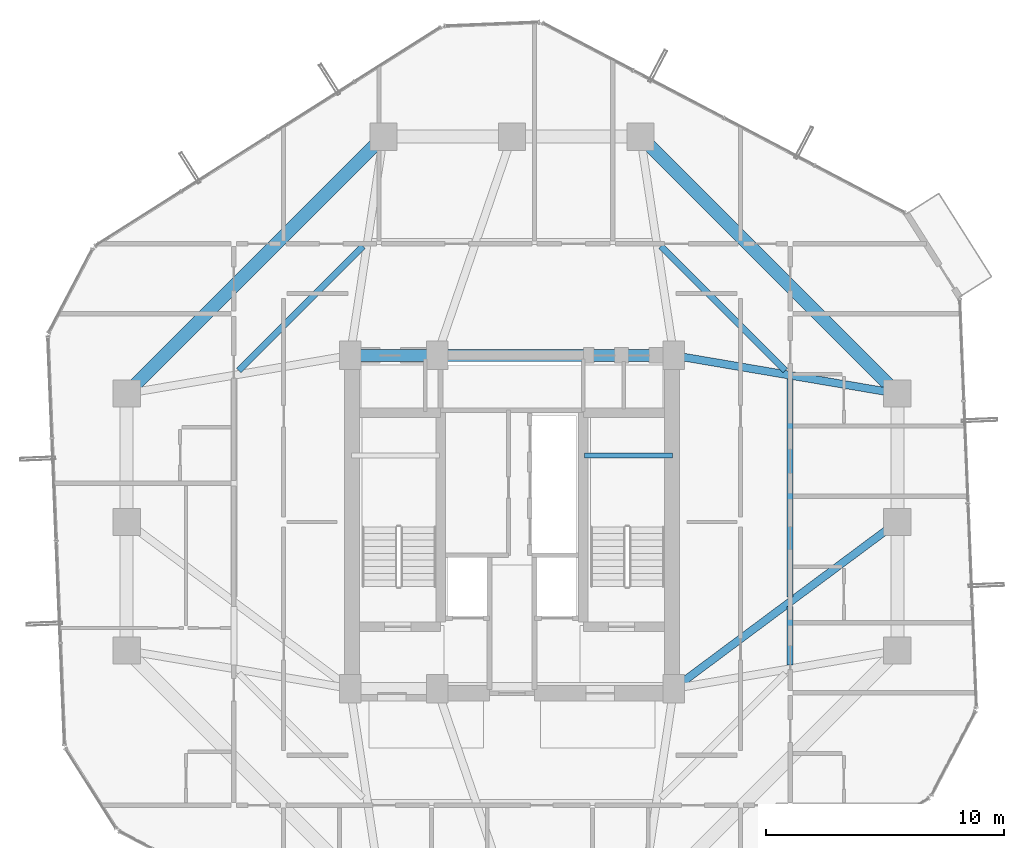
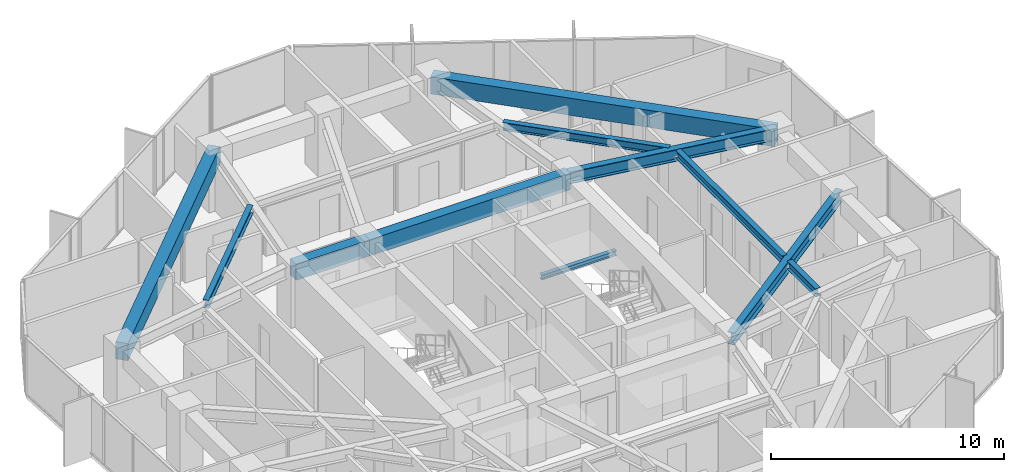
# One storey, part 12 of 32: 11 beams.
"""IFC4 building model written with IfcOpenShell, lengths in metres."""

from ifc_helpers import new_model, si_unit, direction, frame, origin, origin_2d, place, context, subcontext, project, spatial, rectangle, i_section, extrude, material, material_profile, profile_set, type_object, element, save


model = new_model("IFC4")

# Units and contexts
model_context = context("Model", 3, precision=1e-05, world=origin(), true_north=direction((0.0, 1.0)))
body_context = subcontext(model_context, "Body", "Model", "MODEL_VIEW")
ifc_project = project(units=[si_unit("LENGTHUNIT", "METRE"), si_unit("AREAUNIT", "SQUARE_METRE"), si_unit("VOLUMEUNIT", "CUBIC_METRE"), si_unit("PLANEANGLEUNIT", "RADIAN"), si_unit("MASSUNIT", "GRAM", prefix="KILO")], contexts=[model_context])

# Site, building, storey
site_placement = place(None, origin())
site = spatial("IfcSite", under=ifc_project, at=site_placement, CompositionType="ELEMENT")
building_placement = place(site_placement, origin())
building = spatial("IfcBuilding", under=site, at=building_placement, Name="Veraguas Prism Commons", CompositionType="ELEMENT")
storey_placement = place(building_placement, frame((0.0, 0.0, 136.0)))
storey = spatial("IfcBuildingStorey", under=building, at=storey_placement, Name="L38", CompositionType="ELEMENT", Elevation=136.0)

# Beams
ifc_material_1 = material(Name="Concrete C50/60", Category="concrete")
ifc_material_profile_1 = material_profile(ifc_material_1, rectangle(XDim=0.5, YDim=0.85009765625, at=origin_2d()), Name="RC500X850")
ifc_profile_set_1 = profile_set([ifc_material_profile_1], Name="Concrete C50/60")
beam_type_1 = type_object("IfcBeamType", Name="Core Coupling Beam RC 500x850", PredefinedType="BEAM", material=ifc_profile_set_1)
beam_1_placement = place(storey_placement, frame((17.199951171875, 31.0, 2.574951171875), z_axis=(1.0, 0.0, 0.0), x_axis=(0.0, 1.0, 0.0)))
element("IfcBeam", 1, at=beam_1_placement, inside=storey, type_object=beam_type_1, Name="Core Coupling Beam L38-CRN1", PredefinedType="BEAM", context=body_context, shape_type="SweptSolid", body=[
    extrude(rectangle(XDim=0.5, YDim=0.85009765625, at=origin_2d()), origin(), (0.0, 0.0, 1.0), 3.650146484375),
])
beam_2_placement = place(storey_placement, frame((20.85009765625, 31.0, 2.574951171875), z_axis=(1.0, 0.0, 0.0), x_axis=(0.0, 1.0, 0.0)))
element("IfcBeam", 2, at=beam_2_placement, inside=storey, type_object=beam_type_1, Name="Core Coupling Beam L38-CRN2", PredefinedType="BEAM", context=body_context, shape_type="SweptSolid", body=[
    extrude(rectangle(XDim=0.5, YDim=0.85009765625, at=origin_2d()), origin(), (0.0, 0.0, 1.0), 9.949951171875),
])
ifc_material_2 = material(Name="Steel ASTM A992 Grade 50", Category="steel")
ifc_material_profile_2 = material_profile(ifc_material_2, i_section(OverallWidth=0.260986328125, OverallDepth=0.419921875, WebThickness=0.01171875, FlangeThickness=0.019287109375, at=origin_2d()), Name="W410X114")
ifc_profile_set_2 = profile_set([ifc_material_profile_2], Name="Steel ASTM A992 Grade 50")
beam_type_2 = type_object("IfcBeamType", Name="Lower Floor Joist W410x114", PredefinedType="JOIST", material=ifc_profile_set_2)
beam_3_placement = place(storey_placement, frame((35.68798828125, 17.996337890625, 2.7900390625), z_axis=(0.0, 1.0, 0.0), x_axis=(-1.0, 0.0, 0.0)))
element("IfcBeam", 3, at=beam_3_placement, inside=storey, type_object=beam_type_2, Name="Composite Floor Joist L38-JS01", PredefinedType="JOIST", context=body_context, shape_type="SweptSolid", body=[
    extrude(i_section(OverallWidth=0.260986328125, OverallDepth=0.419921875, WebThickness=0.01171875, FlangeThickness=0.019287109375, at=origin_2d()), origin(), (0.0, 0.0, 1.0), 2.441650390625),
])
beam_4_placement = place(storey_placement, frame((35.68798828125, 20.842041015625, 2.7900390625), z_axis=(0.0, 1.0, 0.0), x_axis=(-1.0, 0.0, 0.0)))
element("IfcBeam", 4, at=beam_4_placement, inside=storey, type_object=beam_type_2, Name="Composite Floor Joist L38-JS02", PredefinedType="JOIST", context=body_context, shape_type="SweptSolid", body=[
    extrude(i_section(OverallWidth=0.260986328125, OverallDepth=0.419921875, WebThickness=0.01171875, FlangeThickness=0.019287109375, at=origin_2d()), origin(), (0.0, 0.0, 1.0), 9.16162109375),
])
for number, where, z_axis, x_axis, name in (
    (5, (35.489990234375, 30.365966796875, 2.7900390625), (-0.707090260193, 0.707123301794, 0.0), (-0.707123301794, -0.707090260193, 0.0), "Composite Floor Joist L38-JS03"),
    (6, (17.734619140625, 35.5908203125, 2.7900390625), (-0.707090260193, -0.707123301794, 0.0), (0.707123301794, -0.707090260193, 0.0), "Composite Floor Joist L38-JS06"),
):
    element("IfcBeam", number, at=place(storey_placement, frame(where, z_axis=z_axis, x_axis=x_axis)), inside=storey, type_object=beam_type_2, Name=name, PredefinedType="JOIST", context=body_context, shape_type="SweptSolid", body=[
        extrude(i_section(OverallWidth=0.260986328125, OverallDepth=0.419921875, WebThickness=0.01171875, FlangeThickness=0.019287109375, at=origin_2d()), origin(), (0.0, 0.0, 1.0), 7.388916015625),
    ])
ifc_material_profile_3 = material_profile(ifc_material_1, rectangle(XDim=0.550048828125, YDim=0.89990234375, at=origin_2d()), Name="RC550X900")
ifc_profile_set_3 = profile_set([ifc_material_profile_3], Name="Concrete C50/60")
beam_type_3 = type_object("IfcBeamType", Name="Perimeter Spandrel Lower RC 550x900", PredefinedType="SPANDREL", material=ifc_profile_set_3)
for number, where, z_axis, x_axis, name in (
    (7, (40.199951171875, 29.39990234375, 2.550048828125), (-0.707106781187, 0.707106781187, 0.0), (-0.707106781187, -0.707106781187, 0.0), "Perimeter Spandrel Beam L38-SP03"),
    (8, (18.60009765625, 40.199951171875, 2.550048828125), (-0.707106781187, -0.707106781187, 0.0), (0.707106781187, -0.707106781187, 0.0), "Perimeter Spandrel Beam L38-SP06"),
):
    element("IfcBeam", number, at=place(storey_placement, frame(where, z_axis=z_axis, x_axis=x_axis)), inside=storey, type_object=beam_type_3, Name=name, PredefinedType="SPANDREL", context=body_context, shape_type="SweptSolid", body=[
        extrude(rectangle(XDim=0.550048828125, YDim=0.89990234375, at=origin_2d()), origin(), (0.0, 0.0, 1.0), 15.273681640625),
    ])
ifc_material_profile_4 = material_profile(ifc_material_2, i_section(OverallWidth=0.202880859375, OverallDepth=0.251953125, WebThickness=0.008056640625, FlangeThickness=0.013427734375, at=origin_2d()), Name="W250X58")
ifc_profile_set_4 = profile_set([ifc_material_profile_4], Name="Steel ASTM A992 Grade 50")
beam_type_4 = type_object("IfcBeamType", Name="Structural Opening Lintel W250x58", PredefinedType="LINTEL", material=ifc_profile_set_4)
beam_5_placement = place(storey_placement, frame((27.050048828125, 26.800048828125, 1.299072265625), z_axis=(1.0, 0.0, 0.0), x_axis=(0.0, 1.0, 0.0)))
element("IfcBeam", 9, at=beam_5_placement, inside=storey, type_object=beam_type_4, Name="Stair ST-02 Half-Landing Support Beam L38-1", PredefinedType="LINTEL", context=body_context, shape_type="SweptSolid", body=[
    extrude(i_section(OverallWidth=0.202880859375, OverallDepth=0.251953125, WebThickness=0.008056640625, FlangeThickness=0.013427734375, at=origin_2d()), origin(), (0.0, 0.0, 1.0), 3.699951171875),
])
ifc_material_profile_5 = material_profile(ifc_material_2, i_section(OverallWidth=0.327880859375, OverallDepth=0.6220703125, WebThickness=0.015380859375, FlangeThickness=0.0244140625, at=origin_2d()), Name="W610X195")
ifc_profile_set_5 = profile_set([ifc_material_profile_5], Name="Steel ASTM A992 Grade 50")
beam_type_5 = type_object("IfcBeamType", Name="Zone 2 Radial Girder W610x195", PredefinedType="BEAM", material=ifc_profile_set_5)
beam_6_placement = place(storey_placement, frame((40.199951171875, 24.0, 2.68896484375), z_axis=(-0.802040137921, -0.597270137512, 0.0), x_axis=(0.597270137512, -0.802040137921, 0.0)))
element("IfcBeam", 10, at=beam_6_placement, inside=storey, type_object=beam_type_5, Name="Radial Floor Girder L38-RD02", PredefinedType="BEAM", context=body_context, shape_type="SweptSolid", body=[
    extrude(i_section(OverallWidth=0.327880859375, OverallDepth=0.6220703125, WebThickness=0.015380859375, FlangeThickness=0.0244140625, at=origin_2d()), origin(), (0.0, 0.0, 1.0), 11.719970703125),
])
beam_7_placement = place(storey_placement, frame((40.199951171875, 29.39990234375, 2.68896484375), z_axis=(-0.985819187151, 0.1678109956, 0.0), x_axis=(-0.1678109956, -0.985819187151, 0.0)))
element("IfcBeam", 11, at=beam_7_placement, inside=storey, type_object=beam_type_5, Name="Radial Floor Girder L38-RD03", PredefinedType="BEAM", context=body_context, shape_type="SweptSolid", body=[
    extrude(i_section(OverallWidth=0.327880859375, OverallDepth=0.6220703125, WebThickness=0.015380859375, FlangeThickness=0.0244140625, at=origin_2d()), origin(), (0.0, 0.0, 1.0), 9.53515625),
])

save(model, "model.ifc")
